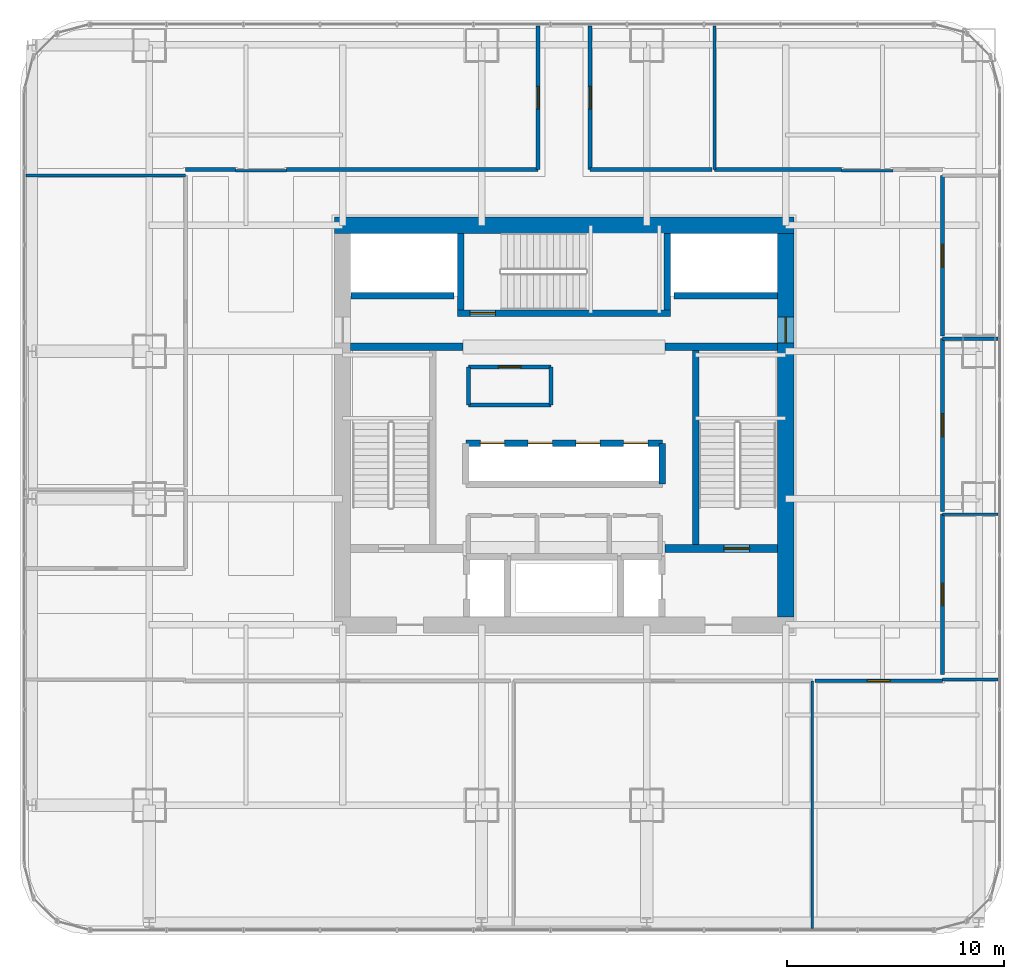
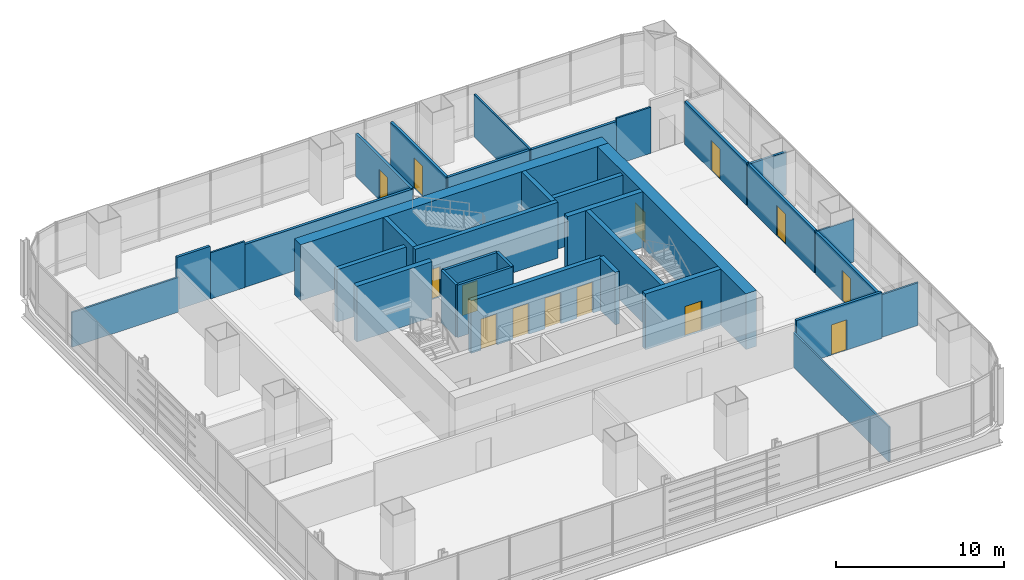
# One storey, part 29 of 36: 35 walls, 14 doors, 14 openings.
"""IFC4 building model written with IfcOpenShell, lengths in metres."""

from ifc_helpers import new_model, si_unit, direction, frame, frame_2d, origin, place, context, subcontext, project, spatial, rectangle, extrude, material, layer, layer_set, type_object, element, fill, save


model = new_model("IFC4")

# Units and contexts
model_context = context("Model", 3, precision=1e-05, world=origin(), true_north=direction((0.0, 1.0)))
body_context = subcontext(model_context, "Body", "Model", "MODEL_VIEW")
ifc_project = project(units=[si_unit("LENGTHUNIT", "METRE"), si_unit("AREAUNIT", "SQUARE_METRE"), si_unit("VOLUMEUNIT", "CUBIC_METRE"), si_unit("PLANEANGLEUNIT", "RADIAN"), si_unit("MASSUNIT", "GRAM", prefix="KILO")], contexts=[model_context])

# Site, building, storey
site_placement = place(None, origin())
site = spatial("IfcSite", under=ifc_project, at=site_placement, CompositionType="ELEMENT")
building_placement = place(site_placement, origin())
building = spatial("IfcBuilding", under=site, at=building_placement, Name="Punatoya Terracotta Tower", CompositionType="ELEMENT")
storey_placement = place(building_placement, frame((0.0, 0.0, 40.35009765625)))
storey = spatial("IfcBuildingStorey", under=building, at=storey_placement, Name="L08", CompositionType="ELEMENT", Elevation=40.35009765625)

# Wall
ifc_material_1 = material(Name="Concrete C60/75", Category="concrete")
ifc_layer_1 = layer(ifc_material_1, 0.75)
ifc_layer_set_1 = layer_set([ifc_layer_1], Name="Concrete C60/75")
wall_type_1 = type_object("IfcWallType", Name="WL-COR-750", PredefinedType="SHEAR", material=ifc_layer_set_1)
wall_1_placement = place(storey_placement, frame((-10.574951171875, 9.199951171875, 0.0), z_axis=(0.0, 0.0, 1.0), x_axis=(1.0, 0.0, 0.0)))
element("IfcWall", 1, at=wall_1_placement, inside=storey, type_object=wall_type_1, Name="L08 Core Shear Wall N", PredefinedType="SHEAR", context=body_context, shape_type="SweptSolid", body=[
    extrude(rectangle(XDim=21.14990234375, YDim=0.75, at=frame_2d((10.574951171875, 0.0))), origin(), (0.0, 0.0, 1.0), 4.0498046875),
])

# Wall, opening, door
wall_2_placement = place(storey_placement, frame((10.199951171875, 8.824951171875, 0.0), z_axis=(0.0, 0.0, 1.0), x_axis=(0.0, -1.0, 0.0)))
wall_2 = element("IfcWall", 2, at=wall_2_placement, inside=storey, type_object=wall_type_1, Name="L08 Core Shear Wall E", PredefinedType="SHEAR", context=body_context, shape_type="SweptSolid", body=[
    extrude(rectangle(XDim=17.64990234375, YDim=0.75, at=frame_2d((8.824951171875, 0.0))), origin(), (0.0, 0.0, 1.0), 4.0498046875),
])
opening_1_placement = place(wall_2_placement, frame((3.85498046875, 0.0, 0.0)))
opening_1 = element("IfcOpeningElement", 3, at=opening_1_placement, cuts=wall_2, Name="Opening SD-01", PredefinedType="OPENING", context=body_context, shape_type="SweptSolid", body=[
    extrude(rectangle(XDim=1.179931640625, YDim=2.199951171875, at=frame_2d((0.58984375, 1.10009765625))), frame((0.0, 0.385009765625, 0.0), z_axis=(0.0, -1.0, 0.0), x_axis=(1.0, 0.0, 0.0)), (0.0, 0.0, 1.0), 0.77001953125),
])
ifc_material_2 = material(Name="Galvanised Steel Pressurized Stair Fire Door", Category="steel")
door_type_1 = type_object("IfcDoorType", Name="DR-STR-1180", OperationType="NOTDEFINED", PredefinedType="DOOR", material=ifc_material_2)
door_1_placement = place(opening_1_placement, origin())
door_1 = element("IfcDoor", 4, at=door_1_placement, inside=storey, type_object=door_type_1, Name="L08 Central Lift Lobby East Fire Door", OperationType="SINGLE_SWING_RIGHT", OverallHeight=2.199951171875, OverallWidth=1.179931640625, PredefinedType="DOOR", context=body_context, shape_type="SweptSolid", body=[
    extrude(rectangle(XDim=1.179931640625, YDim=2.199951171875, at=frame_2d((0.58984375, 1.10009765625))), frame((0.0, 0.02490234375, 0.0), z_axis=(0.0, -1.0, 0.0), x_axis=(1.0, 0.0, 0.0)), (0.0, 0.0, 1.0), 0.050048828125),
])
fill(opening_1, door_1)

# Wall
ifc_material_3 = material(Name="Gypsum Fireboard + Steel Stud", Category="steel")
ifc_layer_2 = layer(ifc_material_3, 0.179931640625)
ifc_layer_set_2 = layer_set([ifc_layer_2], Name="Gypsum Fireboard + Steel Stud")
wall_type_2 = type_object("IfcWallType", Name="WL-CORR-180", PredefinedType="PARTITIONING", material=ifc_layer_set_2)
wall_3_placement = place(storey_placement, frame((-0.60009765625, 0.919921875, 0.0), z_axis=(0.0, 0.0, 1.0), x_axis=(0.0, 1.0, 0.0)))
element("IfcWall", 5, at=wall_3_placement, inside=storey, type_object=wall_type_2, Name="L08 West Core Archive Office Partition 08", PredefinedType="PARTITIONING", context=body_context, shape_type="SweptSolid", body=[
    extrude(rectangle(XDim=1.760009765625, YDim=0.179931640625, at=frame_2d((0.8798828125, 0.0))), origin(), (0.0, 0.0, 1.0), 3.809814453125),
])

# Wall, opening, door
wall_4_placement = place(storey_placement, frame((-0.60009765625, 2.679931640625, 0.0), z_axis=(0.0, 0.0, 1.0), x_axis=(-1.0, 0.0, 0.0)))
wall_4 = element("IfcWall", 6, at=wall_4_placement, inside=storey, type_object=wall_type_2, Name="L08 West Core Archive Office Partition 09", PredefinedType="PARTITIONING", context=body_context, shape_type="SweptSolid", body=[
    extrude(rectangle(XDim=3.7998046875, YDim=0.179931640625, at=frame_2d((1.89990234375, 0.0))), origin(), (0.0, 0.0, 1.0), 3.809814453125),
])
opening_2_placement = place(wall_4_placement, frame((1.375, 0.0, 0.0)))
opening_2 = element("IfcOpeningElement", 7, at=opening_2_placement, cuts=wall_4, Name="Opening OD-01", PredefinedType="OPENING", context=body_context, shape_type="SweptSolid", body=[
    extrude(rectangle(XDim=1.050048828125, YDim=2.199951171875, at=frame_2d((0.52490234375, 1.10009765625))), frame((0.0, 0.099853515625, 0.0), z_axis=(0.0, -1.0, 0.0), x_axis=(1.0, 0.0, 0.0)), (0.0, 0.0, 1.0), 0.199951171875),
])
ifc_material_4 = material(Name="Bengal Teak Solid-Core Leaf")
door_type_2 = type_object("IfcDoorType", Name="DR-OFF-1050", OperationType="NOTDEFINED", PredefinedType="DOOR", material=ifc_material_4)
door_2_placement = place(opening_2_placement, origin())
door_2 = element("IfcDoor", 8, at=door_2_placement, inside=storey, type_object=door_type_2, Name="L08 West Archive Office Door", OperationType="SINGLE_SWING_LEFT", OverallHeight=2.199951171875, OverallWidth=1.050048828125, PredefinedType="DOOR", context=body_context, shape_type="SweptSolid", body=[
    extrude(rectangle(XDim=1.050048828125, YDim=2.199951171875, at=frame_2d((0.52490234375, 1.10009765625))), frame((0.0, 0.02490234375, 0.0), z_axis=(0.0, -1.0, 0.0), x_axis=(1.0, 0.0, 0.0)), (0.0, 0.0, 1.0), 0.050048828125),
])
fill(opening_2, door_2)

# Walls
wall_5_placement = place(storey_placement, frame((-4.39990234375, 2.679931640625, 0.0), z_axis=(0.0, 0.0, 1.0), x_axis=(0.0, -1.0, 0.0)))
element("IfcWall", 9, at=wall_5_placement, inside=storey, type_object=wall_type_2, Name="L08 West Core Archive Office Partition 10", PredefinedType="PARTITIONING", context=body_context, shape_type="SweptSolid", body=[
    extrude(rectangle(XDim=1.760009765625, YDim=0.179931640625, at=frame_2d((0.8798828125, 0.0))), origin(), (0.0, 0.0, 1.0), 3.809814453125),
])
wall_6_placement = place(storey_placement, frame((-4.39990234375, 0.919921875, 0.0), z_axis=(0.0, 0.0, 1.0), x_axis=(1.0, 0.0, 0.0)))
element("IfcWall", 10, at=wall_6_placement, inside=storey, type_object=wall_type_2, Name="L08 West Core Archive Office Partition 11", PredefinedType="PARTITIONING", context=body_context, shape_type="SweptSolid", body=[
    extrude(rectangle(XDim=3.7998046875, YDim=0.179931640625, at=frame_2d((1.89990234375, 0.0))), origin(), (0.0, 0.0, 1.0), 3.809814453125),
])

# Wall, opening, door
wall_7_placement = place(storey_placement, frame((11.550048828125, -11.77001953125, 0.0), z_axis=(0.0, 0.0, 1.0), x_axis=(1.0, 0.0, 0.0)))
wall_7 = element("IfcWall", 11, at=wall_7_placement, inside=storey, type_object=wall_type_2, Name="L08 Open-Plan Project Design Office Partition 18", PredefinedType="PARTITIONING", context=body_context, shape_type="SweptSolid", body=[
    extrude(rectangle(XDim=5.869873046875, YDim=0.179931640625, at=frame_2d((2.93505859375, 0.0))), origin(), (0.0, 0.0, 1.0), 3.35400390625),
])
opening_3_placement = place(wall_7_placement, frame((2.409912109375, 0.0, 0.0)))
opening_3 = element("IfcOpeningElement", 12, at=opening_3_placement, cuts=wall_7, Name="Opening OD-01", PredefinedType="OPENING", context=body_context, shape_type="SweptSolid", body=[
    extrude(rectangle(XDim=1.050048828125, YDim=2.199951171875, at=frame_2d((0.52490234375, 1.10009765625))), frame((0.0, 0.099853515625, 0.0), z_axis=(0.0, -1.0, 0.0), x_axis=(1.0, 0.0, 0.0)), (0.0, 0.0, 1.0), 0.199951171875),
])
door_3_placement = place(opening_3_placement, origin())
door_3 = element("IfcDoor", 13, at=door_3_placement, inside=storey, type_object=door_type_2, Name="L08 Open-Plan Project Design Office Door", OperationType="SINGLE_SWING_RIGHT", OverallHeight=2.199951171875, OverallWidth=1.050048828125, PredefinedType="DOOR", context=body_context, shape_type="SweptSolid", body=[
    extrude(rectangle(XDim=1.050048828125, YDim=2.199951171875, at=frame_2d((0.52490234375, 1.10009765625))), frame((0.0, 0.02490234375, 0.0), z_axis=(0.0, -1.0, 0.0), x_axis=(1.0, 0.0, 0.0)), (0.0, 0.0, 1.0), 0.050048828125),
])
fill(opening_3, door_3)

wall_8_placement = place(storey_placement, frame((17.419921875, -11.489990234375, 0.0), z_axis=(0.0, 0.0, 1.0), x_axis=(0.0, 1.0, 0.0)))
wall_8 = element("IfcWall", 14, at=wall_8_placement, inside=storey, type_object=wall_type_2, Name="L08 Client Strategy Boardroom Partition 20", PredefinedType="PARTITIONING", context=body_context, shape_type="SweptSolid", body=[
    extrude(rectangle(XDim=7.386962890625, YDim=0.179931640625, at=frame_2d((3.693359375, 0.0))), origin(), (0.0, 0.0, 1.0), 3.10400390625),
])
opening_4_placement = place(wall_8_placement, frame((3.18359375, 0.0, 0.0)))
opening_4 = element("IfcOpeningElement", 15, at=opening_4_placement, cuts=wall_8, Name="Opening MD-01", PredefinedType="OPENING", context=body_context, shape_type="SweptSolid", body=[
    extrude(rectangle(XDim=1.02001953125, YDim=2.199951171875, at=frame_2d((0.510009765625, 1.10009765625))), frame((0.0, 0.099853515625, 0.0), z_axis=(0.0, -1.0, 0.0), x_axis=(1.0, 0.0, 0.0)), (0.0, 0.0, 1.0), 0.199951171875),
])
ifc_material_5 = material(Name="Aluminium + Acoustic Glass Leaf", Category="aluminium")
door_type_3 = type_object("IfcDoorType", Name="DR-MTG-1020", OperationType="NOTDEFINED", PredefinedType="DOOR", material=ifc_material_5)
door_4_placement = place(opening_4_placement, origin())
door_4 = element("IfcDoor", 16, at=door_4_placement, inside=storey, type_object=door_type_3, Name="L08 Client Strategy Boardroom Door", OperationType="SINGLE_SWING_LEFT", OverallHeight=2.199951171875, OverallWidth=1.02001953125, PredefinedType="DOOR", context=body_context, shape_type="SweptSolid", body=[
    extrude(rectangle(XDim=1.02001953125, YDim=2.199951171875, at=frame_2d((0.510009765625, 1.10009765625))), frame((0.0, 0.02490234375, 0.0), z_axis=(0.0, -1.0, 0.0), x_axis=(1.0, 0.0, 0.0)), (0.0, 0.0, 1.0), 0.050048828125),
])
fill(opening_4, door_4)

wall_9_placement = place(storey_placement, frame((17.419921875, -3.98291015625, 0.0), z_axis=(0.0, 0.0, 1.0), x_axis=(0.0, 1.0, 0.0)))
wall_9 = element("IfcWall", 17, at=wall_9_placement, inside=storey, type_object=wall_type_2, Name="L08 Open-Plan Staff Tea Pantry Partition 25", PredefinedType="PARTITIONING", context=body_context, shape_type="SweptSolid", body=[
    extrude(rectangle(XDim=7.9658203125, YDim=0.179931640625, at=frame_2d((3.98291015625, 0.0))), origin(), (0.0, 0.0, 1.0), 3.10400390625),
])
opening_5_placement = place(wall_9_placement, frame((3.4580078125, 0.0, 0.0)))
opening_5 = element("IfcOpeningElement", 18, at=opening_5_placement, cuts=wall_9, Name="Opening OD-01", PredefinedType="OPENING", context=body_context, shape_type="SweptSolid", body=[
    extrude(rectangle(XDim=1.050048828125, YDim=2.199951171875, at=frame_2d((0.52490234375, 1.10009765625))), frame((0.0, 0.099853515625, 0.0), z_axis=(0.0, -1.0, 0.0), x_axis=(1.0, 0.0, 0.0)), (0.0, 0.0, 1.0), 0.199951171875),
])
door_5_placement = place(opening_5_placement, origin())
door_5 = element("IfcDoor", 19, at=door_5_placement, inside=storey, type_object=door_type_2, Name="L08 Open-Plan Staff Tea Pantry Door", OperationType="SINGLE_SWING_LEFT", OverallHeight=2.199951171875, OverallWidth=1.050048828125, PredefinedType="DOOR", context=body_context, shape_type="SweptSolid", body=[
    extrude(rectangle(XDim=1.050048828125, YDim=2.199951171875, at=frame_2d((0.52490234375, 1.10009765625))), frame((0.0, 0.02490234375, 0.0), z_axis=(0.0, -1.0, 0.0), x_axis=(1.0, 0.0, 0.0)), (0.0, 0.0, 1.0), 0.050048828125),
])
fill(opening_5, door_5)

wall_10_placement = place(storey_placement, frame((17.419921875, 4.10302734375, 0.0), z_axis=(0.0, 0.0, 1.0), x_axis=(0.0, 1.0, 0.0)))
wall_10 = element("IfcWall", 20, at=wall_10_placement, inside=storey, type_object=wall_type_2, Name="L08 Systems Engineering Office Partition 29", PredefinedType="PARTITIONING", context=body_context, shape_type="SweptSolid", body=[
    extrude(rectangle(XDim=7.386962890625, YDim=0.179931640625, at=frame_2d((3.693359375, 0.0))), origin(), (0.0, 0.0, 1.0), 3.10400390625),
])
opening_6_placement = place(wall_10_placement, frame((3.16845703125, 0.0, 0.0)))
opening_6 = element("IfcOpeningElement", 21, at=opening_6_placement, cuts=wall_10, Name="Opening OD-01", PredefinedType="OPENING", context=body_context, shape_type="SweptSolid", body=[
    extrude(rectangle(XDim=1.050048828125, YDim=2.199951171875, at=frame_2d((0.52490234375, 1.10009765625))), frame((0.0, 0.099853515625, 0.0), z_axis=(0.0, -1.0, 0.0), x_axis=(1.0, 0.0, 0.0)), (0.0, 0.0, 1.0), 0.199951171875),
])
door_6_placement = place(opening_6_placement, origin())
door_6 = element("IfcDoor", 22, at=door_6_placement, inside=storey, type_object=door_type_2, Name="L08 Systems Engineering Office Door", OperationType="SINGLE_SWING_LEFT", OverallHeight=2.199951171875, OverallWidth=1.050048828125, PredefinedType="DOOR", context=body_context, shape_type="SweptSolid", body=[
    extrude(rectangle(XDim=1.050048828125, YDim=2.199951171875, at=frame_2d((0.52490234375, 1.10009765625))), frame((0.0, 0.02490234375, 0.0), z_axis=(0.0, -1.0, 0.0), x_axis=(1.0, 0.0, 0.0)), (0.0, 0.0, 1.0), 0.050048828125),
])
fill(opening_6, door_6)

wall_11_placement = place(storey_placement, frame((-1.199951171875, 18.3701171875, 0.0), z_axis=(0.0, 0.0, 1.0), x_axis=(0.0, -1.0, 0.0)))
wall_11 = element("IfcWall", 23, at=wall_11_placement, inside=storey, type_object=wall_type_2, Name="L08 Quantitative Practice Office Partition 30", PredefinedType="PARTITIONING", context=body_context, shape_type="SweptSolid", body=[
    extrude(rectangle(XDim=6.60009765625, YDim=0.179931640625, at=frame_2d((3.300048828125, 0.0))), origin(), (0.0, 0.0, 1.0), 3.10400390625),
])
opening_7_placement = place(wall_11_placement, frame((2.77490234375, 0.0, 0.0)))
opening_7 = element("IfcOpeningElement", 24, at=opening_7_placement, cuts=wall_11, Name="Opening OD-01", PredefinedType="OPENING", context=body_context, shape_type="SweptSolid", body=[
    extrude(rectangle(XDim=1.050048828125, YDim=2.199951171875, at=frame_2d((0.52490234375, 1.10009765625))), frame((0.0, 0.099853515625, 0.0), z_axis=(0.0, -1.0, 0.0), x_axis=(1.0, 0.0, 0.0)), (0.0, 0.0, 1.0), 0.199951171875),
])
door_7_placement = place(opening_7_placement, origin())
door_7 = element("IfcDoor", 25, at=door_7_placement, inside=storey, type_object=door_type_2, Name="L08 Quantitative Practice Office Door", OperationType="SINGLE_SWING_RIGHT", OverallHeight=2.199951171875, OverallWidth=1.050048828125, PredefinedType="DOOR", context=body_context, shape_type="SweptSolid", body=[
    extrude(rectangle(XDim=1.050048828125, YDim=2.199951171875, at=frame_2d((0.52490234375, 1.10009765625))), frame((0.0, 0.02490234375, 0.0), z_axis=(0.0, -1.0, 0.0), x_axis=(1.0, 0.0, 0.0)), (0.0, 0.0, 1.0), 0.050048828125),
])
fill(opening_7, door_7)

# Walls
wall_12_placement = place(storey_placement, frame((-1.199951171875, 11.77001953125, 0.0), z_axis=(0.0, 0.0, 1.0), x_axis=(-1.0, 0.0, 0.0)))
element("IfcWall", 26, at=wall_12_placement, inside=storey, type_object=wall_type_2, Name="L08 Quantitative Practice Office Partition 31", PredefinedType="PARTITIONING", context=body_context, shape_type="SweptSolid", body=[
    extrude(rectangle(XDim=11.570068359375, YDim=0.179931640625, at=frame_2d((5.78515625, 0.0))), origin(), (0.0, 0.0, 1.0), 3.10400390625),
])
wall_13_placement = place(storey_placement, frame((-15.1298828125, 11.77001953125, 0.0), z_axis=(0.0, 0.0, 1.0), x_axis=(-1.0, 0.0, 0.0)))
element("IfcWall", 27, at=wall_13_placement, inside=storey, type_object=wall_type_2, Name="L08 Quantitative Practice Office Partition 33", PredefinedType="PARTITIONING", context=body_context, shape_type="SweptSolid", body=[
    extrude(rectangle(XDim=2.2900390625, YDim=0.179931640625, at=frame_2d((1.14501953125, 0.0))), origin(), (0.0, 0.0, 1.0), 3.809814453125),
])
wall_14_placement = place(storey_placement, frame((12.77001953125, 11.77001953125, 0.0), z_axis=(0.0, 0.0, 1.0), x_axis=(-1.0, 0.0, 0.0)))
element("IfcWall", 28, at=wall_14_placement, inside=storey, type_object=wall_type_2, Name="L08 Open-Plan Regional Operations Office Partition 36", PredefinedType="PARTITIONING", context=body_context, shape_type="SweptSolid", body=[
    extrude(rectangle(XDim=5.85009765625, YDim=0.179931640625, at=frame_2d((2.925048828125, 0.0))), origin(), (0.0, 0.0, 1.0), 3.10400390625),
])

# Wall, opening, door
wall_15_placement = place(storey_placement, frame((1.199951171875, 11.77001953125, 0.0), z_axis=(0.0, 0.0, 1.0), x_axis=(0.0, 1.0, 0.0)))
wall_15 = element("IfcWall", 29, at=wall_15_placement, inside=storey, type_object=wall_type_2, Name="L08 Open-Plan Global Desk Workplace Partition 38", PredefinedType="PARTITIONING", context=body_context, shape_type="SweptSolid", body=[
    extrude(rectangle(XDim=6.60009765625, YDim=0.179931640625, at=frame_2d((3.300048828125, 0.0))), origin(), (0.0, 0.0, 1.0), 3.10400390625),
])
opening_8_placement = place(wall_15_placement, frame((2.77490234375, 0.0, 0.0)))
opening_8 = element("IfcOpeningElement", 30, at=opening_8_placement, cuts=wall_15, Name="Opening OD-01", PredefinedType="OPENING", context=body_context, shape_type="SweptSolid", body=[
    extrude(rectangle(XDim=1.050048828125, YDim=2.199951171875, at=frame_2d((0.52490234375, 1.10009765625))), frame((0.0, 0.099853515625, 0.0), z_axis=(0.0, -1.0, 0.0), x_axis=(1.0, 0.0, 0.0)), (0.0, 0.0, 1.0), 0.199951171875),
])
door_8_placement = place(opening_8_placement, origin())
door_8 = element("IfcDoor", 31, at=door_8_placement, inside=storey, type_object=door_type_2, Name="L08 Open-Plan Global Desk Workplace Door", OperationType="SINGLE_SWING_RIGHT", OverallHeight=2.199951171875, OverallWidth=1.050048828125, PredefinedType="DOOR", context=body_context, shape_type="SweptSolid", body=[
    extrude(rectangle(XDim=1.050048828125, YDim=2.199951171875, at=frame_2d((0.52490234375, 1.10009765625))), frame((0.0, 0.02490234375, 0.0), z_axis=(0.0, -1.0, 0.0), x_axis=(1.0, 0.0, 0.0)), (0.0, 0.0, 1.0), 0.050048828125),
])
fill(opening_8, door_8)

# Walls
wall_16_placement = place(storey_placement, frame((6.800048828125, 11.77001953125, 0.0), z_axis=(0.0, 0.0, 1.0), x_axis=(-1.0, 0.0, 0.0)))
element("IfcWall", 32, at=wall_16_placement, inside=storey, type_object=wall_type_2, Name="L08 Open-Plan Global Desk Workplace Partition 39", PredefinedType="PARTITIONING", context=body_context, shape_type="SweptSolid", body=[
    extrude(rectangle(XDim=5.60009765625, YDim=0.179931640625, at=frame_2d((2.800048828125, 0.0))), origin(), (0.0, 0.0, 1.0), 3.10400390625),
])
ifc_material_6 = material(Name="Aluminium Framed Acoustic Glass Partition", Category="aluminium")
ifc_layer_3 = layer(ifc_material_6, 0.10009765625)
ifc_layer_set_3 = layer_set([ifc_layer_3], Name="Aluminium Framed Acoustic Glass Partition")
wall_type_3 = type_object("IfcWallType", Name="WL-GLZ-100", PredefinedType="PARTITIONING", material=ifc_layer_set_3)
wall_17_placement = place(storey_placement, frame((17.419921875, -4.10302734375, 0.0), z_axis=(0.0, 0.0, 1.0), x_axis=(1.0, 0.0, 0.0)))
element("IfcWall", 33, at=wall_17_placement, inside=storey, type_object=wall_type_3, Name="L08 Client Strategy Boardroom Partition 19", PredefinedType="PARTITIONING", context=body_context, shape_type="SweptSolid", body=[
    extrude(rectangle(XDim=2.550048828125, YDim=0.10009765625, at=frame_2d((1.27490234375, 0.0))), origin(), (0.0, 0.0, 1.0), 3.10400390625),
])
ifc_material_7 = material(Name="Gypsum Partition + Steel Stud", Category="steel")
ifc_layer_4 = layer(ifc_material_7, 0.1201171875)
ifc_layer_set_4 = layer_set([ifc_layer_4], Name="Gypsum Partition + Steel Stud")
wall_type_4 = type_object("IfcWallType", Name="WL-OFF-120", PredefinedType="PARTITIONING", material=ifc_layer_set_4)
wall_18_placement = place(storey_placement, frame((11.429931640625, -11.77001953125, 0.0), z_axis=(0.0, 0.0, 1.0), x_axis=(0.0, -1.0, 0.0)))
element("IfcWall", 34, at=wall_18_placement, inside=storey, type_object=wall_type_4, Name="L08 Open Workplace Studio Partition 12", PredefinedType="PARTITIONING", context=body_context, shape_type="SweptSolid", body=[
    extrude(rectangle(XDim=11.39990234375, YDim=0.1201171875, at=frame_2d((5.699951171875, 0.0))), origin(), (0.0, 0.0, 1.0), 2.52392578125),
])
wall_19_placement = place(storey_placement, frame((17.419921875, -11.7099609375, 0.0), z_axis=(0.0, 0.0, 1.0), x_axis=(1.0, 0.0, 0.0)))
element("IfcWall", 35, at=wall_19_placement, inside=storey, type_object=wall_type_4, Name="L08 Open-Plan Project Design Office Partition 17", PredefinedType="PARTITIONING", context=body_context, shape_type="SweptSolid", body=[
    extrude(rectangle(XDim=2.550048828125, YDim=0.1201171875, at=frame_2d((1.27490234375, 0.0))), origin(), (0.0, 0.0, 1.0), 3.10400390625),
])
wall_20_placement = place(storey_placement, frame((-24.77001953125, 11.489990234375, 0.0), z_axis=(0.0, 0.0, 1.0), x_axis=(1.0, 0.0, 0.0)))
element("IfcWall", 36, at=wall_20_placement, inside=storey, type_object=wall_type_4, Name="L08 Open-Plan Wellness Quiet Room Partition 26", PredefinedType="PARTITIONING", context=body_context, shape_type="SweptSolid", body=[
    extrude(rectangle(XDim=7.35009765625, YDim=0.1201171875, at=frame_2d((3.675048828125, 0.0))), origin(), (0.0, 0.0, 1.0), 2.52392578125),
])
for number, where, z_axis, x_axis, name in (
    (37, (-12.77001953125, 11.7099609375, 0.0), (0.0, 0.0, 1.0), (-1.0, 0.0, 0.0), "L08 Quantitative Practice Office Partition 32"),
    (38, (15.1298828125, 11.7099609375, 0.0), (0.0, 0.0, 1.0), (-1.0, 0.0, 0.0), "L08 Open-Plan Regional Operations Office Partition 35"),
):
    element("IfcWall", number, at=place(storey_placement, frame(where, z_axis=z_axis, x_axis=x_axis)), inside=storey, type_object=wall_type_4, Name=name, PredefinedType="PARTITIONING", context=body_context, shape_type="SweptSolid", body=[
        extrude(rectangle(XDim=2.35986328125, YDim=0.1201171875, at=frame_2d((1.179931640625, 0.0))), origin(), (0.0, 0.0, 1.0), 3.35400390625),
    ])
wall_21_placement = place(storey_placement, frame((6.919921875, 11.77001953125, 0.0), z_axis=(0.0, 0.0, 1.0), x_axis=(0.0, 1.0, 0.0)))
element("IfcWall", 39, at=wall_21_placement, inside=storey, type_object=wall_type_4, Name="L08 Open-Plan Regional Operations Office Partition 37", PredefinedType="PARTITIONING", context=body_context, shape_type="SweptSolid", body=[
    extrude(rectangle(XDim=6.60009765625, YDim=0.1201171875, at=frame_2d((3.300048828125, 0.0))), origin(), (0.0, 0.0, 1.0), 3.10400390625),
])
ifc_material_8 = material(Name="Concrete C40/50", Category="concrete")
ifc_layer_5 = layer(ifc_material_8, 0.300048828125)
ifc_layer_set_5 = layer_set([ifc_layer_5], Name="Concrete C40/50")
wall_type_5 = type_object("IfcWallType", Name="WL-SHF-300", PredefinedType="SOLIDWALL", material=ifc_layer_set_5)
wall_22_placement = place(storey_placement, frame((6.050048828125, 3.449951171875, 0.0), z_axis=(0.0, 0.0, 1.0), x_axis=(0.0, -1.0, 0.0)))
element("IfcWall", 40, at=wall_22_placement, inside=storey, type_object=wall_type_5, Name="L08 Structural Stair Shaft Wall SW-ST2-W", PredefinedType="SOLIDWALL", context=body_context, shape_type="SweptSolid", body=[
    extrude(rectangle(XDim=8.949951171875, YDim=0.300048828125, at=frame_2d((4.47509765625, 0.0))), origin(), (0.0, 0.0, 1.0), 4.0498046875),
])
for number, where, z_axis, x_axis, name in (
    (41, (-4.75, 5.300048828125, 0.0), (0.0, 0.0, 1.0), (0.0, 1.0, 0.0), "L08 Structural Stair Shaft Wall SW-ST3-W"),
    (42, (4.75, 8.824951171875, 0.0), (0.0, 0.0, 1.0), (0.0, -1.0, 0.0), "L08 Structural Stair Shaft Wall SW-ST3-E"),
):
    element("IfcWall", number, at=place(storey_placement, frame(where, z_axis=z_axis, x_axis=x_axis)), inside=storey, type_object=wall_type_5, Name=name, PredefinedType="SOLIDWALL", context=body_context, shape_type="SweptSolid", body=[
        extrude(rectangle(XDim=3.52490234375, YDim=0.300048828125, at=frame_2d((1.762451171875, 0.0))), origin(), (0.0, 0.0, 1.0), 4.0498046875),
    ])

# Wall, opening, door
wall_23_placement = place(storey_placement, frame((-4.89990234375, 5.14990234375, 0.0), z_axis=(0.0, 0.0, 1.0), x_axis=(1.0, 0.0, 0.0)))
wall_23 = element("IfcWall", 43, at=wall_23_placement, inside=storey, type_object=wall_type_5, Name="L08 Structural Stair Shaft Wall SW-ST3-S", PredefinedType="SOLIDWALL", context=body_context, shape_type="SweptSolid", body=[
    extrude(rectangle(XDim=9.7998046875, YDim=0.300048828125, at=frame_2d((4.89990234375, 0.0))), origin(), (0.0, 0.0, 1.0), 4.0498046875),
])
opening_9_placement = place(wall_23_placement, frame((0.56005859375, 0.0, 0.0)))
opening_9 = element("IfcOpeningElement", 44, at=opening_9_placement, cuts=wall_23, Name="Opening SD-01", PredefinedType="OPENING", context=body_context, shape_type="SweptSolid", body=[
    extrude(rectangle(XDim=1.179931640625, YDim=2.199951171875, at=frame_2d((0.58984375, 1.10009765625))), frame((0.0, 0.159912109375, 0.0), z_axis=(0.0, -1.0, 0.0), x_axis=(1.0, 0.0, 0.0)), (0.0, 0.0, 1.0), 0.320068359375),
])
door_9_placement = place(opening_9_placement, origin())
door_9 = element("IfcDoor", 45, at=door_9_placement, inside=storey, type_object=door_type_1, Name="L08 Stair ST-3 Core Lobby Fire Door", OperationType="SINGLE_SWING_LEFT", OverallHeight=2.199951171875, OverallWidth=1.179931640625, PredefinedType="DOOR", context=body_context, shape_type="SweptSolid", body=[
    extrude(rectangle(XDim=1.179931640625, YDim=2.199951171875, at=frame_2d((0.58984375, 1.10009765625))), frame((0.0, 0.02490234375, 0.0), z_axis=(0.0, -1.0, 0.0), x_axis=(1.0, 0.0, 0.0)), (0.0, 0.0, 1.0), 0.050048828125),
])
fill(opening_9, door_9)

# Wall, openings, doors
wall_24_placement = place(storey_placement, frame((-4.52001953125, -0.840087890625, 0.0), z_axis=(0.0, 0.0, 1.0), x_axis=(1.0, 0.0, 0.0)))
wall_24 = element("IfcWall", 46, at=wall_24_placement, inside=storey, type_object=wall_type_5, Name="L08 South Lift Bank Front Shaft Wall", PredefinedType="SOLIDWALL", context=body_context, shape_type="SweptSolid", body=[
    extrude(rectangle(XDim=9.0400390625, YDim=0.300048828125, at=frame_2d((4.52001953125, 0.0))), origin(), (0.0, 0.0, 1.0), 3.809814453125),
])
opening_10_placement = place(wall_24_placement, frame((0.659912109375, 0.0, 0.0)))
opening_10 = element("IfcOpeningElement", 47, at=opening_10_placement, cuts=wall_24, Name="Opening LD-02", PredefinedType="OPENING", context=body_context, shape_type="SweptSolid", body=[
    extrude(rectangle(XDim=1.1201171875, YDim=2.25, at=frame_2d((0.56005859375, 1.125))), frame((0.0, 0.159912109375, 0.0), z_axis=(0.0, -1.0, 0.0), x_axis=(1.0, 0.0, 0.0)), (0.0, 0.0, 1.0), 0.320068359375),
])
opening_11_placement = place(wall_24_placement, frame((2.860107421875, 0.0, 0.0)))
opening_11 = element("IfcOpeningElement", 48, at=opening_11_placement, cuts=wall_24, Name="Opening LD-02", PredefinedType="OPENING", context=body_context, shape_type="SweptSolid", body=[
    extrude(rectangle(XDim=1.1201171875, YDim=2.25, at=frame_2d((0.56005859375, 1.125))), frame((0.0, 0.159912109375, 0.0), z_axis=(0.0, -1.0, 0.0), x_axis=(1.0, 0.0, 0.0)), (0.0, 0.0, 1.0), 0.320068359375),
])
opening_12_placement = place(wall_24_placement, frame((5.06005859375, 0.0, 0.0)))
opening_12 = element("IfcOpeningElement", 49, at=opening_12_placement, cuts=wall_24, Name="Opening LD-02", PredefinedType="OPENING", context=body_context, shape_type="SweptSolid", body=[
    extrude(rectangle(XDim=1.1201171875, YDim=2.25, at=frame_2d((0.56005859375, 1.125))), frame((0.0, 0.159912109375, 0.0), z_axis=(0.0, -1.0, 0.0), x_axis=(1.0, 0.0, 0.0)), (0.0, 0.0, 1.0), 0.320068359375),
])
opening_13_placement = place(wall_24_placement, frame((7.260009765625, 0.0, 0.0)))
opening_13 = element("IfcOpeningElement", 50, at=opening_13_placement, cuts=wall_24, Name="Opening LD-02", PredefinedType="OPENING", context=body_context, shape_type="SweptSolid", body=[
    extrude(rectangle(XDim=1.1201171875, YDim=2.25, at=frame_2d((0.56005859375, 1.125))), frame((0.0, 0.159912109375, 0.0), z_axis=(0.0, -1.0, 0.0), x_axis=(1.0, 0.0, 0.0)), (0.0, 0.0, 1.0), 0.320068359375),
])
ifc_material_9 = material(Name="Stainless Steel Lift Landing Door", Category="steel")
door_type_4 = type_object("IfcDoorType", Name="DR-LND-1120", OperationType="NOTDEFINED", PredefinedType="DOOR", material=ifc_material_9)
door_10_placement = place(opening_10_placement, origin())
door_10 = element("IfcDoor", 51, at=door_10_placement, inside=storey, type_object=door_type_4, Name="L08 Lift PL-L1 Sliding Landing Door", OperationType="DOUBLE_DOOR_SLIDING", OverallHeight=2.25, OverallWidth=1.1201171875, PredefinedType="DOOR", context=body_context, shape_type="SweptSolid", body=[
    extrude(rectangle(XDim=1.1201171875, YDim=2.25, at=frame_2d((0.56005859375, 1.125))), frame((0.0, 0.02490234375, 0.0), z_axis=(0.0, -1.0, 0.0), x_axis=(1.0, 0.0, 0.0)), (0.0, 0.0, 1.0), 0.050048828125),
])
fill(opening_10, door_10)
door_11_placement = place(opening_11_placement, origin())
door_11 = element("IfcDoor", 52, at=door_11_placement, inside=storey, type_object=door_type_4, Name="L08 Lift PL-L2 Sliding Landing Door", OperationType="DOUBLE_DOOR_SLIDING", OverallHeight=2.25, OverallWidth=1.1201171875, PredefinedType="DOOR", context=body_context, shape_type="SweptSolid", body=[
    extrude(rectangle(XDim=1.1201171875, YDim=2.25, at=frame_2d((0.56005859375, 1.125))), frame((0.0, 0.02490234375, 0.0), z_axis=(0.0, -1.0, 0.0), x_axis=(1.0, 0.0, 0.0)), (0.0, 0.0, 1.0), 0.050048828125),
])
fill(opening_11, door_11)
door_12_placement = place(opening_12_placement, origin())
door_12 = element("IfcDoor", 53, at=door_12_placement, inside=storey, type_object=door_type_4, Name="L08 Lift PL-L3 Sliding Landing Door", OperationType="DOUBLE_DOOR_SLIDING", OverallHeight=2.25, OverallWidth=1.1201171875, PredefinedType="DOOR", context=body_context, shape_type="SweptSolid", body=[
    extrude(rectangle(XDim=1.1201171875, YDim=2.25, at=frame_2d((0.56005859375, 1.125))), frame((0.0, 0.02490234375, 0.0), z_axis=(0.0, -1.0, 0.0), x_axis=(1.0, 0.0, 0.0)), (0.0, 0.0, 1.0), 0.050048828125),
])
fill(opening_12, door_12)
door_13_placement = place(opening_13_placement, origin())
door_13 = element("IfcDoor", 54, at=door_13_placement, inside=storey, type_object=door_type_4, Name="L08 Lift PL-L4 Sliding Landing Door", OperationType="DOUBLE_DOOR_SLIDING", OverallHeight=2.25, OverallWidth=1.1201171875, PredefinedType="DOOR", context=body_context, shape_type="SweptSolid", body=[
    extrude(rectangle(XDim=1.1201171875, YDim=2.25, at=frame_2d((0.56005859375, 1.125))), frame((0.0, 0.02490234375, 0.0), z_axis=(0.0, -1.0, 0.0), x_axis=(1.0, 0.0, 0.0)), (0.0, 0.0, 1.0), 0.050048828125),
])
fill(opening_13, door_13)

# Walls
wall_25_placement = place(storey_placement, frame((4.52001953125, -2.719970703125, 0.0), z_axis=(0.0, 0.0, 1.0), x_axis=(0.0, 1.0, 0.0)))
element("IfcWall", 55, at=wall_25_placement, inside=storey, type_object=wall_type_5, Name="L08 South Lift Bank East End Wall", PredefinedType="SOLIDWALL", context=body_context, shape_type="SweptSolid", body=[
    extrude(rectangle(XDim=1.8798828125, YDim=0.300048828125, at=frame_2d((0.93994140625, 0.0))), origin(), (0.0, 0.0, 1.0), 3.809814453125),
])
for number, where, z_axis, x_axis, name in (
    (56, (-9.820068359375, 5.949951171875, 0.0), (0.0, 0.0, 1.0), (1.0, 0.0, 0.0), "L08 Shuttle SL-1 South Hoistway Wall"),
    (57, (5.06005859375, 5.949951171875, 0.0), (0.0, 0.0, 1.0), (1.0, 0.0, 0.0), "L08 Shuttle SL-2 South Hoistway Wall"),
):
    element("IfcWall", number, at=place(storey_placement, frame(where, z_axis=z_axis, x_axis=x_axis)), inside=storey, type_object=wall_type_5, Name=name, PredefinedType="SOLIDWALL", context=body_context, shape_type="SweptSolid", body=[
        extrude(rectangle(XDim=4.760009765625, YDim=0.300048828125, at=frame_2d((2.3798828125, 0.0))), origin(), (0.0, 0.0, 1.0), 3.809814453125),
    ])

# Wall, opening, door
ifc_material_10 = material(Name="Concrete C50/60", Category="concrete")
ifc_layer_6 = layer(ifc_material_10, 0.35009765625)
ifc_layer_set_6 = layer_set([ifc_layer_6], Name="Concrete C50/60")
wall_type_6 = type_object("IfcWallType", Name="WL-SHF-350", PredefinedType="SOLIDWALL", material=ifc_layer_set_6)
wall_26_placement = place(storey_placement, frame((4.64990234375, -5.679931640625, 0.0), z_axis=(0.0, 0.0, 1.0), x_axis=(1.0, 0.0, 0.0)))
wall_26 = element("IfcWall", 58, at=wall_26_placement, inside=storey, type_object=wall_type_6, Name="L08 Core Web Wall CSW-R", PredefinedType="SOLIDWALL", context=body_context, shape_type="SweptSolid", body=[
    extrude(rectangle(XDim=5.175048828125, YDim=0.35009765625, at=frame_2d((2.58740234375, 0.0))), origin(), (0.0, 0.0, 1.0), 4.0498046875),
])
opening_14_placement = place(wall_26_placement, frame((2.7099609375, 0.0, 0.0)))
opening_14 = element("IfcOpeningElement", 59, at=opening_14_placement, cuts=wall_26, Name="Opening SD-01", PredefinedType="OPENING", context=body_context, shape_type="SweptSolid", body=[
    extrude(rectangle(XDim=1.179931640625, YDim=2.199951171875, at=frame_2d((0.58984375, 1.10009765625))), frame((0.0, 0.18505859375, 0.0), z_axis=(0.0, -1.0, 0.0), x_axis=(1.0, 0.0, 0.0)), (0.0, 0.0, 1.0), 0.3701171875),
])
door_14_placement = place(opening_14_placement, origin())
door_14 = element("IfcDoor", 60, at=door_14_placement, inside=storey, type_object=door_type_1, Name="L08 Stair ST-2 Smokeproof Lobby Fire Door", OperationType="SINGLE_SWING_RIGHT", OverallHeight=2.199951171875, OverallWidth=1.179931640625, PredefinedType="DOOR", context=body_context, shape_type="SweptSolid", body=[
    extrude(rectangle(XDim=1.179931640625, YDim=2.199951171875, at=frame_2d((0.58984375, 1.10009765625))), frame((0.0, 0.02490234375, 0.0), z_axis=(0.0, -1.0, 0.0), x_axis=(1.0, 0.0, 0.0)), (0.0, 0.0, 1.0), 0.050048828125),
])
fill(opening_14, door_14)

# Walls
for number, where, z_axis, x_axis, name in (
    (61, (-9.824951171875, 3.60009765625, 0.0), (0.0, 0.0, 1.0), (1.0, 0.0, 0.0), "L08 Core Web Wall CNW-L"),
    (62, (4.64990234375, 3.60009765625, 0.0), (0.0, 0.0, 1.0), (1.0, 0.0, 0.0), "L08 Core Web Wall CNW-R"),
):
    element("IfcWall", number, at=place(storey_placement, frame(where, z_axis=z_axis, x_axis=x_axis)), inside=storey, type_object=wall_type_6, Name=name, PredefinedType="SOLIDWALL", context=body_context, shape_type="SweptSolid", body=[
        extrude(rectangle(XDim=5.175048828125, YDim=0.35009765625, at=frame_2d((2.58740234375, 0.0))), origin(), (0.0, 0.0, 1.0), 4.0498046875),
    ])
ifc_material_11 = material(Name="Masonry Blockwork + Ceramic Tile", Category="masonry")
ifc_layer_7 = layer(ifc_material_11, 0.159912109375)
ifc_layer_set_7 = layer_set([ifc_layer_7], Name="Masonry Blockwork + Ceramic Tile")
wall_type_7 = type_object("IfcWallType", Name="WL-WET-160", PredefinedType="PARTITIONING", material=ifc_layer_set_7)
wall_27_placement = place(storey_placement, frame((17.419921875, 3.98291015625, 0.0), z_axis=(0.0, 0.0, 1.0), x_axis=(1.0, 0.0, 0.0)))
element("IfcWall", 63, at=wall_27_placement, inside=storey, type_object=wall_type_7, Name="L08 Open-Plan Staff Tea Pantry Partition 24", PredefinedType="PARTITIONING", context=body_context, shape_type="SweptSolid", body=[
    extrude(rectangle(XDim=2.550048828125, YDim=0.159912109375, at=frame_2d((1.27490234375, 0.0))), origin(), (0.0, 0.0, 1.0), 3.10400390625),
])

save(model, "model.ifc")
